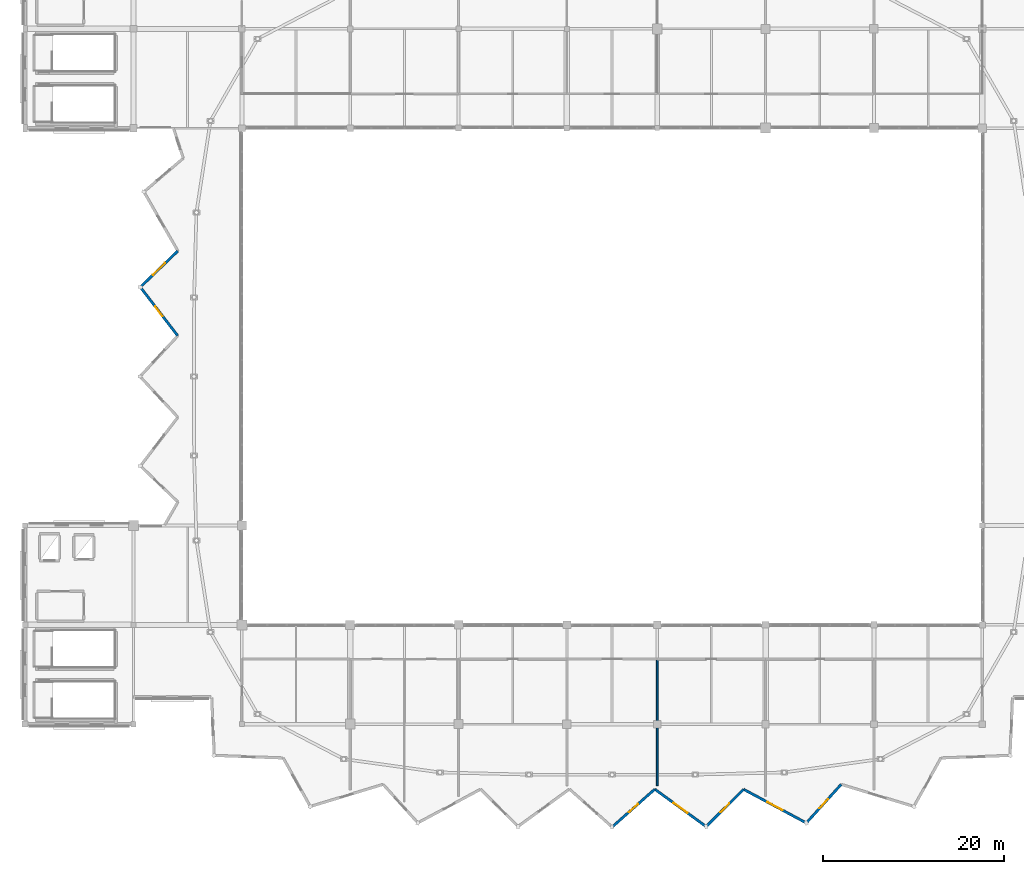
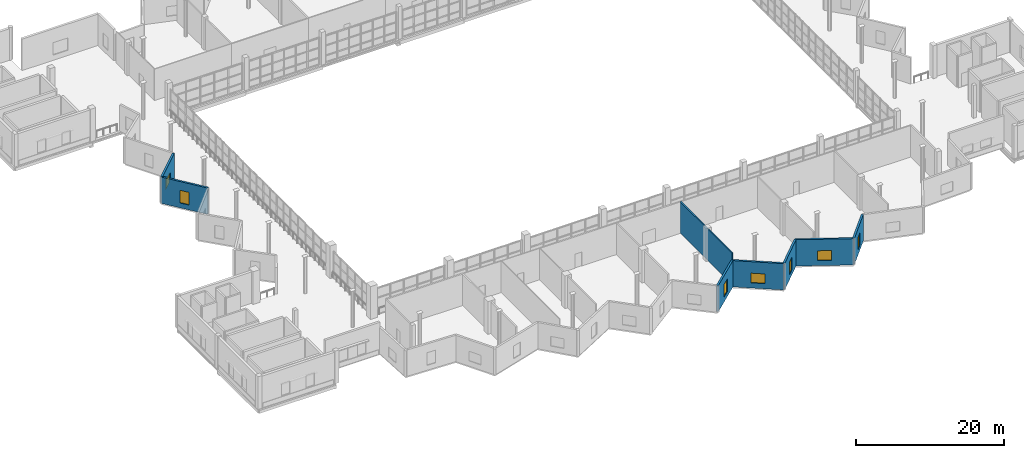
# One storey, part 38 of 49: 8 walls, 7 windows, 7 openings.
"""IFC4 building model written with IfcOpenShell, lengths in metres."""

import ifcopenshell
import ifcopenshell.guid

model = None  # the IFC model being written
_history = None  # IfcOwnerHistory: only IFC2X3 demands one
_inside = {}  # id of a spatial element -> (the spatial element, [elements in it])
_under = {}  # id of a project, library or spatial element -> (it, [spatial elements below it])
_declared = {}  # id of a project -> (the project, [libraries it declares])
_typed = {}  # id of a type object -> (the type object, [elements of that type])
_made_of = {}  # id of a material, layer set ... -> (it, [elements and type objects made of it])


def new_model(schema):
    """Start an empty IFC model of exactly this schema.

    Asked for "IFC4X3", IfcOpenShell would pick the latest addendum, in which some entities
    have other attributes; the version numbers below select the first issue.
    IFC2X3 requires an IfcOwnerHistory on every rooted entity: one is made here for all.
    """
    global model, _history
    if schema == "IFC4X3":
        model = ifcopenshell.file(schema_version=(4, 3, 0, 0))
    else:
        model = ifcopenshell.file(schema=schema)
    _inside.clear()
    _under.clear()
    _declared.clear()
    _typed.clear()
    _made_of.clear()
    _history = None
    if model.schema == "IFC2X3":
        org = make("IfcOrganization", Name="unknown")
        user = make(
            "IfcPersonAndOrganization",
            ThePerson=make("IfcPerson", FamilyName="unknown"),
            TheOrganization=org,
        )
        app = make(
            "IfcApplication",
            ApplicationDeveloper=org,
            Version="unknown",
            ApplicationFullName="unknown",
            ApplicationIdentifier="unknown",
        )
        _history = make(
            "IfcOwnerHistory",
            OwningUser=user,
            OwningApplication=app,
            ChangeAction="ADDED",
            CreationDate=0,
        )
    return model


def make(cls, **values):
    """One entity of the class cls with the attributes given. An attribute that is None is left unset."""
    return model.create_entity(
        cls, **{name: value for name, value in values.items() if value is not None}
    )


def rooted(cls, **values):
    """An entity with a GlobalId (a new one), such as an element, a storey or a relation."""
    return make(cls, GlobalId=ifcopenshell.guid.new(), OwnerHistory=_history, **values)


def si_unit(unit_type, name, prefix=None):
    """IfcSIUnit, for example si_unit("LENGTHUNIT", "METRE", prefix="MILLI")."""
    return make("IfcSIUnit", UnitType=unit_type, Prefix=prefix, Name=name)


def assignment(units):
    """IfcUnitAssignment: the units of a project."""
    return None if units is None else make("IfcUnitAssignment", Units=units)


def point(xyz):
    """IfcCartesianPoint."""
    return None if xyz is None else make("IfcCartesianPoint", Coordinates=xyz)


def direction(xyz):
    """IfcDirection."""
    return None if xyz is None else make("IfcDirection", DirectionRatios=xyz)


def frame(location, z_axis=None, x_axis=None):
    """IfcAxis2Placement3D, a coordinate frame: its origin and axes. An axis left out is left unset."""
    return make(
        "IfcAxis2Placement3D",
        Location=point(location),
        Axis=direction(z_axis),
        RefDirection=direction(x_axis),
    )


def frame_2d(location, x_axis=None):
    """IfcAxis2Placement2D, a coordinate frame in the plane: its origin and x axis."""
    return make(
        "IfcAxis2Placement2D", Location=point(location), RefDirection=direction(x_axis)
    )


def origin():
    """The frame at (0, 0, 0) with its axes left unset."""
    return frame((0.0, 0.0, 0.0))


def place(relative_to, where):
    """IfcLocalPlacement: puts the frame where relative to a parent placement (None: the world)."""
    return make(
        "IfcLocalPlacement", PlacementRelTo=relative_to, RelativePlacement=where
    )


def context(
    kind, dimensions, precision=None, world=None, true_north=None, identifier=None
):
    """IfcGeometricRepresentationContext, for example the 3D "Model" context."""
    return make(
        "IfcGeometricRepresentationContext",
        ContextIdentifier=identifier,
        ContextType=kind,
        CoordinateSpaceDimension=dimensions,
        Precision=precision,
        WorldCoordinateSystem=world,
        TrueNorth=true_north,
    )


def subcontext(parent, identifier, kind, view, scale=None):
    """IfcGeometricRepresentationSubContext, for example "Body" below "Model"."""
    return make(
        "IfcGeometricRepresentationSubContext",
        ContextIdentifier=identifier,
        ContextType=kind,
        ParentContext=parent,
        TargetScale=scale,
        TargetView=view,
    )


def project(units=None, contexts=None):
    """IfcProject with its units and contexts."""
    return rooted(
        "IfcProject",
        Name="project",
        RepresentationContexts=contexts,
        UnitsInContext=assignment(units),
    )


def spatial(cls, under=None, at=None, **own):
    """A site, building, storey or space (cls), placed at a placement, below another one or the project."""
    s = rooted(cls, ObjectPlacement=at, **own)
    if under is not None:
        _under.setdefault(under.id(), (under, []))[1].append(s)
    return s


def profile(cls, at=None, kind="AREA", **sizes):
    """A parametric profile (cls). Its sizes go by their IFC names, for example OverallWidth=200.0."""
    return make(cls, ProfileType=kind, Position=at, **sizes)


def rectangle(**sizes):
    """IfcRectangleProfileDef."""
    return profile("IfcRectangleProfileDef", **sizes)


def extrude(swept, where, along, depth):
    """IfcExtrudedAreaSolid: the profile swept, set in the frame where, extruded along a direction by depth."""
    return make(
        "IfcExtrudedAreaSolid",
        SweptArea=swept,
        Position=where,
        ExtrudedDirection=direction(along),
        Depth=depth,
    )


def shape(context_of_items, identifier, shape_type, items):
    """IfcShapeRepresentation: the items that make up one representation, for example the "Body"."""
    return make(
        "IfcShapeRepresentation",
        ContextOfItems=context_of_items,
        RepresentationIdentifier=identifier,
        RepresentationType=shape_type,
        Items=items,
    )


def material(Name=None, Category=None):
    """IfcMaterial."""
    return make("IfcMaterial", Name=Name, Category=Category)


def layer(
    of_material, thickness, ventilated=None, Name=None, Category=None, Priority=None
):
    """IfcMaterialLayer: one layer of a wall or slab, of a material (None: an air gap)."""
    return make(
        "IfcMaterialLayer",
        Material=of_material,
        LayerThickness=thickness,
        IsVentilated=ventilated,
        Name=Name,
        Category=Category,
        Priority=Priority,
    )


def layer_set(layers, Name=None):
    """IfcMaterialLayerSet."""
    return make("IfcMaterialLayerSet", MaterialLayers=layers, LayerSetName=Name)


def made_of(thing, what):
    """Note that an element or type object is made of a material, layer set ...; save() writes the relation."""
    if what is not None:
        _made_of.setdefault(what.id(), (what, []))[1].append(thing)
    return thing


def type_object(cls, material=None, **own):
    """A type object (cls), such as IfcWallType, which elements share."""
    return made_of(rooted(cls, **own), material)


def element(
    cls,
    number,
    at=None,
    inside=None,
    cuts=None,
    type_object=None,
    material=None,
    context=None,
    identifier="Body",
    shape_type=None,
    held_by="IfcProductDefinitionShape",
    body=None,
    shapes=None,
    **own,
):
    """One element of the class cls, such as IfcWall. Its Tag is "e" and its number.

    at: its placement. inside: the storey or other place that contains it. cuts: it is an
    opening in that element (IfcRelVoidsElement). A single representation is given by context,
    identifier, shape_type and body (its items); several are given by shapes. held_by: the class
    of the entity that holds the representations. save() writes the other relations.
    """
    e = rooted(cls, Tag="e%d" % number, ObjectPlacement=at, **own)
    if body is not None:
        shapes = [shape(context, identifier, shape_type, body)]
    if shapes is not None:
        e.Representation = make(held_by, Representations=shapes)
    if inside is not None:
        _inside.setdefault(inside.id(), (inside, []))[1].append(e)
    if cuts is not None:
        rooted(
            "IfcRelVoidsElement", RelatingBuildingElement=cuts, RelatedOpeningElement=e
        )
    if type_object is not None:
        _typed.setdefault(type_object.id(), (type_object, []))[1].append(e)
    return made_of(e, material)


def fill(opening, filler):
    """IfcRelFillsElement: the door or window that sits in an opening."""
    return rooted(
        "IfcRelFillsElement",
        RelatingOpeningElement=opening,
        RelatedBuildingElement=filler,
    )


def aggregate(whole, parts):
    """IfcRelAggregates: a whole, such as a stair, and the parts it consists of."""
    return rooted("IfcRelAggregates", RelatingObject=whole, RelatedObjects=parts)


def save(model, path):
    """Write the relations noted so far, then the file.

    IfcRelAggregates (storeys below a building ...), IfcRelContainedInSpatialStructure (elements
    in a storey), IfcRelDefinesByType, IfcRelAssociatesMaterial and IfcRelDeclares: one each for
    every whole, place, type object, material and project.
    """
    for whole, parts in _under.values():
        aggregate(whole, parts)
    for where, things in _inside.values():
        rooted(
            "IfcRelContainedInSpatialStructure",
            RelatedElements=things,
            RelatingStructure=where,
        )
    for kind, things in _typed.values():
        rooted("IfcRelDefinesByType", RelatedObjects=things, RelatingType=kind)
    for what, things in _made_of.values():
        rooted("IfcRelAssociatesMaterial", RelatedObjects=things, RelatingMaterial=what)
    for by, libraries in _declared.values():
        rooted("IfcRelDeclares", RelatingContext=by, RelatedDefinitions=libraries)
    model.write(path)


model = new_model("IFC4")

# Units and contexts
model_context = context("Model", 3, precision=1e-05, world=origin(), true_north=direction((0.0, 1.0)))
body_context = subcontext(model_context, "Body", "Model", "MODEL_VIEW")
ifc_project = project(units=[si_unit("LENGTHUNIT", "METRE"), si_unit("AREAUNIT", "SQUARE_METRE"), si_unit("VOLUMEUNIT", "CUBIC_METRE"), si_unit("PLANEANGLEUNIT", "RADIAN"), si_unit("MASSUNIT", "GRAM", prefix="KILO")], contexts=[model_context])

# Site, building, storey
site_placement = place(None, origin())
site = spatial("IfcSite", under=ifc_project, at=site_placement, CompositionType="ELEMENT")
building_placement = place(site_placement, origin())
building = spatial("IfcBuilding", under=site, at=building_placement, Name="Luwafu Chhajja Arena", CompositionType="ELEMENT")
storey_placement = place(building_placement, frame((0.0, 0.0, 24.300048828125)))
storey = spatial("IfcBuildingStorey", under=building, at=storey_placement, Name="L05", CompositionType="ELEMENT", Elevation=24.300048828125)

# Wall
ifc_material_1 = material(Name="Acoustic gypsum and mineral wool partition")
ifc_layer_1 = layer(ifc_material_1, 0.199951171875, Name="Acoustic gypsum and mineral wool partition")
ifc_layer_set_1 = layer_set([ifc_layer_1], Name="Acoustic gypsum and mineral wool partition")
wall_type_1 = type_object("IfcWallType", Name="Acoustic Broadcast Studio Partition 200", PredefinedType="PARTITIONING", material=ifc_layer_set_1)
wall_1_placement = place(storey_placement, frame((104.0, 4.1845703125, 0.0), z_axis=(0.0, 0.0, 1.0), x_axis=(0.0, 1.0, 0.0)))
element("IfcWall", 1, at=wall_1_placement, inside=storey, type_object=wall_type_1, Name="L05 Internal Partition 0361", PredefinedType="PARTITIONING", context=body_context, shape_type="SweptSolid", body=[
    extrude(rectangle(XDim=14.015380859375, YDim=0.199951171875, at=frame_2d((7.0078125, 0.0))), origin(), (0.0, 0.0, 1.0), 5.179931640625),
])

# Wall, opening, window
ifc_material_2 = material(Name="Precast concrete C40/50", Category="concrete")
ifc_layer_2 = layer(ifc_material_2, 0.2900390625, Name="Precast concrete C40/50")
ifc_layer_set_2 = layer_set([ifc_layer_2], Name="Precast concrete C40/50")
wall_type_2 = type_object("IfcWallType", Name="Pleated Bowl Upper V-Fold Wall 290", PredefinedType="USERDEFINED", material=ifc_layer_set_2)
wall_2_placement = place(storey_placement, frame((50.89697265625, 63.394287109375, 0.0), z_axis=(0.0, 0.0, 1.0), x_axis=(-0.719894969607, -0.694083015737, 0.0)))
wall_2 = element("IfcWall", 2, at=wall_2_placement, inside=storey, type_object=wall_type_2, Name="L05 Pleated Bowl V-Fold Wall 30", ObjectType="PLEATED FACADE WALL", PredefinedType="USERDEFINED", context=body_context, shape_type="SweptSolid", body=[
    extrude(rectangle(XDim=5.76025390625, YDim=0.2900390625, at=frame_2d((2.880126953125, 0.0))), origin(), (0.0, 0.0, 1.0), 4.33984375),
])
opening_1_placement = place(wall_2_placement, frame((1.93017578125, 0.0, 0.85009765625)))
opening_1 = element("IfcOpeningElement", 3, at=opening_1_placement, cuts=wall_2, Name="Opening WN-15", PredefinedType="OPENING", context=body_context, shape_type="SweptSolid", body=[
    extrude(rectangle(XDim=1.89990234375, YDim=1.60009765625, at=frame_2d((0.949951171875, 0.800048828125))), frame((0.0, 0.155029296875, 0.0), z_axis=(0.0, -1.0, 0.0), x_axis=(1.0, 0.0, 0.0)), (0.0, 0.0, 1.0), 0.31005859375),
])
ifc_material_3 = material(Name="Solar-control laminated glass", Category="glass")
window_type_1 = type_object("IfcWindowType", Name="Pleated Drum Inward-Fold Clerestory 1900x1600", PartitioningType="SINGLE_PANEL", PredefinedType="WINDOW", material=ifc_material_3)
window_1_placement = place(opening_1_placement, origin())
window_1 = element("IfcWindow", 4, at=window_1_placement, inside=storey, type_object=window_type_1, Name="L05 Pleated Bowl Lancet Window 154", OverallHeight=1.60009765625, OverallWidth=1.89990234375, PartitioningType="SINGLE_PANEL", PredefinedType="WINDOW", context=body_context, shape_type="SweptSolid", body=[
    extrude(rectangle(XDim=1.89990234375, YDim=1.60009765625, at=frame_2d((0.949951171875, 0.800048828125))), frame((0.0, 0.030029296875, 0.0), z_axis=(0.0, -1.0, 0.0), x_axis=(1.0, 0.0, 0.0)), (0.0, 0.0, 1.0), 0.06005859375),
])
fill(opening_1, window_1)

wall_3_placement = place(storey_placement, frame((46.750244140625, 59.396240234375, 0.0), z_axis=(0.0, 0.0, 1.0), x_axis=(0.609656915655, -0.792665405575, 0.0)))
wall_3 = element("IfcWall", 5, at=wall_3_placement, inside=storey, type_object=wall_type_2, Name="L05 Pleated Bowl V-Fold Wall 31", ObjectType="PLEATED FACADE WALL", PredefinedType="USERDEFINED", context=body_context, shape_type="SweptSolid", body=[
    extrude(rectangle(XDim=6.79296875, YDim=0.2900390625, at=frame_2d((3.396484375, 0.0))), origin(), (0.0, 0.0, 1.0), 4.33984375),
])
opening_2_placement = place(wall_3_placement, frame((2.721435546875, 0.0, 0.800048828125)))
opening_2 = element("IfcOpeningElement", 6, at=opening_2_placement, cuts=wall_3, Name="Opening WN-17", PredefinedType="OPENING", context=body_context, shape_type="SweptSolid", body=[
    extrude(rectangle(XDim=1.35009765625, YDim=2.10009765625, at=frame_2d((0.675048828125, 1.050048828125))), frame((0.0, 0.155029296875, 0.0), z_axis=(0.0, -1.0, 0.0), x_axis=(1.0, 0.0, 0.0)), (0.0, 0.0, 1.0), 0.31005859375),
])
window_type_2 = type_object("IfcWindowType", Name="Exhibition Mezzanine Lancet Window 1350x2100", PartitioningType="SINGLE_PANEL", PredefinedType="WINDOW", material=ifc_material_3)
window_2_placement = place(opening_2_placement, origin())
window_2 = element("IfcWindow", 7, at=window_2_placement, inside=storey, type_object=window_type_2, Name="L05 Pleated Bowl Lancet Window 155", OverallHeight=2.10009765625, OverallWidth=1.35009765625, PartitioningType="SINGLE_PANEL", PredefinedType="WINDOW", context=body_context, shape_type="SweptSolid", body=[
    extrude(rectangle(XDim=1.35009765625, YDim=2.10009765625, at=frame_2d((0.675048828125, 1.050048828125))), frame((0.0, 0.030029296875, 0.0), z_axis=(0.0, -1.0, 0.0), x_axis=(1.0, 0.0, 0.0)), (0.0, 0.0, 1.0), 0.06005859375),
])
fill(opening_2, window_2)

wall_4_placement = place(storey_placement, frame((99.0, -0.39990234375, 0.0), z_axis=(0.0, 0.0, 1.0), x_axis=(0.74844895461, 0.663192402205, 0.0)))
wall_4 = element("IfcWall", 8, at=wall_4_placement, inside=storey, type_object=wall_type_2, Name="L05 Pleated Bowl V-Fold Wall 49", ObjectType="PLEATED FACADE WALL", PredefinedType="USERDEFINED", context=body_context, shape_type="SweptSolid", body=[
    extrude(rectangle(XDim=6.317138671875, YDim=0.2900390625, at=frame_2d((3.15869140625, 0.0))), origin(), (0.0, 0.0, 1.0), 4.33984375),
])
opening_3_placement = place(wall_4_placement, frame((2.483642578125, 0.0, 0.800048828125)))
opening_3 = element("IfcOpeningElement", 9, at=opening_3_placement, cuts=wall_4, Name="Opening WN-17", PredefinedType="OPENING", context=body_context, shape_type="SweptSolid", body=[
    extrude(rectangle(XDim=1.35009765625, YDim=2.10009765625, at=frame_2d((0.675048828125, 1.050048828125))), frame((0.0, 0.155029296875, 0.0), z_axis=(0.0, -1.0, 0.0), x_axis=(1.0, 0.0, 0.0)), (0.0, 0.0, 1.0), 0.31005859375),
])
window_3_placement = place(opening_3_placement, origin())
window_3 = element("IfcWindow", 10, at=window_3_placement, inside=storey, type_object=window_type_2, Name="L05 Pleated Bowl Lancet Window 169", OverallHeight=2.10009765625, OverallWidth=1.35009765625, PartitioningType="SINGLE_PANEL", PredefinedType="WINDOW", context=body_context, shape_type="SweptSolid", body=[
    extrude(rectangle(XDim=1.35009765625, YDim=2.10009765625, at=frame_2d((0.675048828125, 1.050048828125))), frame((0.0, 0.030029296875, 0.0), z_axis=(0.0, -1.0, 0.0), x_axis=(1.0, 0.0, 0.0)), (0.0, 0.0, 1.0), 0.06005859375),
])
fill(opening_3, window_3)

wall_5_placement = place(storey_placement, frame((103.72802734375, 3.78955078125, 0.0), z_axis=(0.0, 0.0, 1.0), x_axis=(0.808841233488, -0.588027090371, 0.0)))
wall_5 = element("IfcWall", 11, at=wall_5_placement, inside=storey, type_object=wall_type_2, Name="L05 Pleated Bowl V-Fold Wall 50", ObjectType="PLEATED FACADE WALL", PredefinedType="USERDEFINED", context=body_context, shape_type="SweptSolid", body=[
    extrude(rectangle(XDim=7.02734375, YDim=0.2900390625, at=frame_2d((3.513671875, 0.0))), origin(), (0.0, 0.0, 1.0), 4.33984375),
])
opening_4_placement = place(wall_5_placement, frame((2.563720703125, 0.0, 0.85009765625)))
opening_4 = element("IfcOpeningElement", 12, at=opening_4_placement, cuts=wall_5, Name="Opening WN-15", PredefinedType="OPENING", context=body_context, shape_type="SweptSolid", body=[
    extrude(rectangle(XDim=1.89990234375, YDim=1.60009765625, at=frame_2d((0.949951171875, 0.800048828125))), frame((0.0, 0.155029296875, 0.0), z_axis=(0.0, -1.0, 0.0), x_axis=(1.0, 0.0, 0.0)), (0.0, 0.0, 1.0), 0.31005859375),
])
window_4_placement = place(opening_4_placement, origin())
window_4 = element("IfcWindow", 13, at=window_4_placement, inside=storey, type_object=window_type_1, Name="L05 Pleated Bowl Lancet Window 170", OverallHeight=1.60009765625, OverallWidth=1.89990234375, PartitioningType="SINGLE_PANEL", PredefinedType="WINDOW", context=body_context, shape_type="SweptSolid", body=[
    extrude(rectangle(XDim=1.89990234375, YDim=1.60009765625, at=frame_2d((0.949951171875, 0.800048828125))), frame((0.0, 0.030029296875, 0.0), z_axis=(0.0, -1.0, 0.0), x_axis=(1.0, 0.0, 0.0)), (0.0, 0.0, 1.0), 0.06005859375),
])
fill(opening_4, window_4)

wall_6_placement = place(storey_placement, frame((109.412109375, -0.3427734375, 0.0), z_axis=(0.0, 0.0, 1.0), x_axis=(0.710084208502, 0.704116763638, 0.0)))
wall_6 = element("IfcWall", 14, at=wall_6_placement, inside=storey, type_object=wall_type_2, Name="L05 Pleated Bowl V-Fold Wall 51", ObjectType="PLEATED FACADE WALL", PredefinedType="USERDEFINED", context=body_context, shape_type="SweptSolid", body=[
    extrude(rectangle(XDim=5.850341796875, YDim=0.2900390625, at=frame_2d((2.92529296875, 0.0))), origin(), (0.0, 0.0, 1.0), 4.33984375),
])
opening_5_placement = place(wall_6_placement, frame((2.250244140625, 0.0, 0.800048828125)))
opening_5 = element("IfcOpeningElement", 15, at=opening_5_placement, cuts=wall_6, Name="Opening WN-17", PredefinedType="OPENING", context=body_context, shape_type="SweptSolid", body=[
    extrude(rectangle(XDim=1.35009765625, YDim=2.10009765625, at=frame_2d((0.675048828125, 1.050048828125))), frame((0.0, 0.155029296875, 0.0), z_axis=(0.0, -1.0, 0.0), x_axis=(1.0, 0.0, 0.0)), (0.0, 0.0, 1.0), 0.31005859375),
])
window_5_placement = place(opening_5_placement, origin())
window_5 = element("IfcWindow", 16, at=window_5_placement, inside=storey, type_object=window_type_2, Name="L05 Pleated Bowl Lancet Window 171", OverallHeight=2.10009765625, OverallWidth=1.35009765625, PartitioningType="SINGLE_PANEL", PredefinedType="WINDOW", context=body_context, shape_type="SweptSolid", body=[
    extrude(rectangle(XDim=1.35009765625, YDim=2.10009765625, at=frame_2d((0.675048828125, 1.050048828125))), frame((0.0, 0.030029296875, 0.0), z_axis=(0.0, -1.0, 0.0), x_axis=(1.0, 0.0, 0.0)), (0.0, 0.0, 1.0), 0.06005859375),
])
fill(opening_5, window_5)

wall_7_placement = place(storey_placement, frame((113.56640625, 3.776611328125, 0.0), z_axis=(0.0, 0.0, 1.0), x_axis=(0.881201188687, -0.472741435731, 0.0)))
wall_7 = element("IfcWall", 17, at=wall_7_placement, inside=storey, type_object=wall_type_2, Name="L05 Pleated Bowl V-Fold Wall 52", ObjectType="PLEATED FACADE WALL", PredefinedType="USERDEFINED", context=body_context, shape_type="SweptSolid", body=[
    extrude(rectangle(XDim=7.880859375, YDim=0.2900390625, at=frame_2d((3.9404296875, 0.0))), origin(), (0.0, 0.0, 1.0), 4.33984375),
])
opening_6_placement = place(wall_7_placement, frame((2.990234375, 0.0, 0.85009765625)))
opening_6 = element("IfcOpeningElement", 18, at=opening_6_placement, cuts=wall_7, Name="Opening WN-15", PredefinedType="OPENING", context=body_context, shape_type="SweptSolid", body=[
    extrude(rectangle(XDim=1.89990234375, YDim=1.60009765625, at=frame_2d((0.949951171875, 0.800048828125))), frame((0.0, 0.155029296875, 0.0), z_axis=(0.0, -1.0, 0.0), x_axis=(1.0, 0.0, 0.0)), (0.0, 0.0, 1.0), 0.31005859375),
])
window_6_placement = place(opening_6_placement, origin())
window_6 = element("IfcWindow", 19, at=window_6_placement, inside=storey, type_object=window_type_1, Name="L05 Pleated Bowl Lancet Window 172", OverallHeight=1.60009765625, OverallWidth=1.89990234375, PartitioningType="SINGLE_PANEL", PredefinedType="WINDOW", context=body_context, shape_type="SweptSolid", body=[
    extrude(rectangle(XDim=1.89990234375, YDim=1.60009765625, at=frame_2d((0.949951171875, 0.800048828125))), frame((0.0, 0.030029296875, 0.0), z_axis=(0.0, -1.0, 0.0), x_axis=(1.0, 0.0, 0.0)), (0.0, 0.0, 1.0), 0.06005859375),
])
fill(opening_6, window_6)

wall_8_placement = place(storey_placement, frame((120.510986328125, 0.051025390625, 0.0), z_axis=(0.0, 0.0, 1.0), x_axis=(0.670348131104, 0.742046752654, 0.0)))
wall_8 = element("IfcWall", 20, at=wall_8_placement, inside=storey, type_object=wall_type_2, Name="L05 Pleated Bowl V-Fold Wall 53", ObjectType="PLEATED FACADE WALL", PredefinedType="USERDEFINED", context=body_context, shape_type="SweptSolid", body=[
    extrude(rectangle(XDim=5.747802734375, YDim=0.2900390625, at=frame_2d((2.8740234375, 0.0))), origin(), (0.0, 0.0, 1.0), 4.33984375),
])
opening_7_placement = place(wall_8_placement, frame((2.198974609375, 0.0, 0.800048828125)))
opening_7 = element("IfcOpeningElement", 21, at=opening_7_placement, cuts=wall_8, Name="Opening WN-17", PredefinedType="OPENING", context=body_context, shape_type="SweptSolid", body=[
    extrude(rectangle(XDim=1.35009765625, YDim=2.10009765625, at=frame_2d((0.675048828125, 1.050048828125))), frame((0.0, 0.155029296875, 0.0), z_axis=(0.0, -1.0, 0.0), x_axis=(1.0, 0.0, 0.0)), (0.0, 0.0, 1.0), 0.31005859375),
])
window_7_placement = place(opening_7_placement, origin())
window_7 = element("IfcWindow", 22, at=window_7_placement, inside=storey, type_object=window_type_2, Name="L05 Pleated Bowl Lancet Window 173", OverallHeight=2.10009765625, OverallWidth=1.35009765625, PartitioningType="SINGLE_PANEL", PredefinedType="WINDOW", context=body_context, shape_type="SweptSolid", body=[
    extrude(rectangle(XDim=1.35009765625, YDim=2.10009765625, at=frame_2d((0.675048828125, 1.050048828125))), frame((0.0, 0.030029296875, 0.0), z_axis=(0.0, -1.0, 0.0), x_axis=(1.0, 0.0, 0.0)), (0.0, 0.0, 1.0), 0.06005859375),
])
fill(opening_7, window_7)

save(model, "model.ifc")
